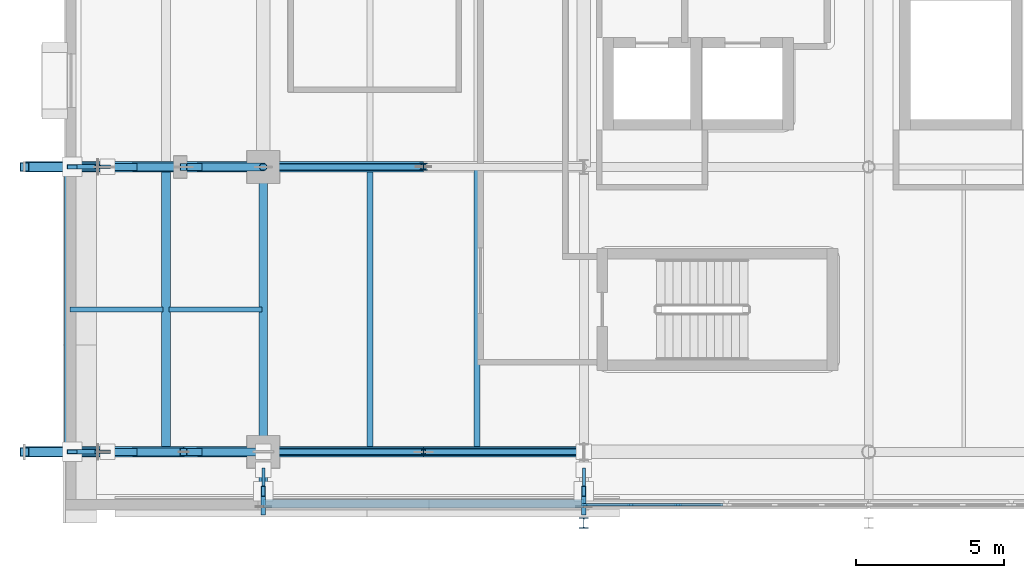
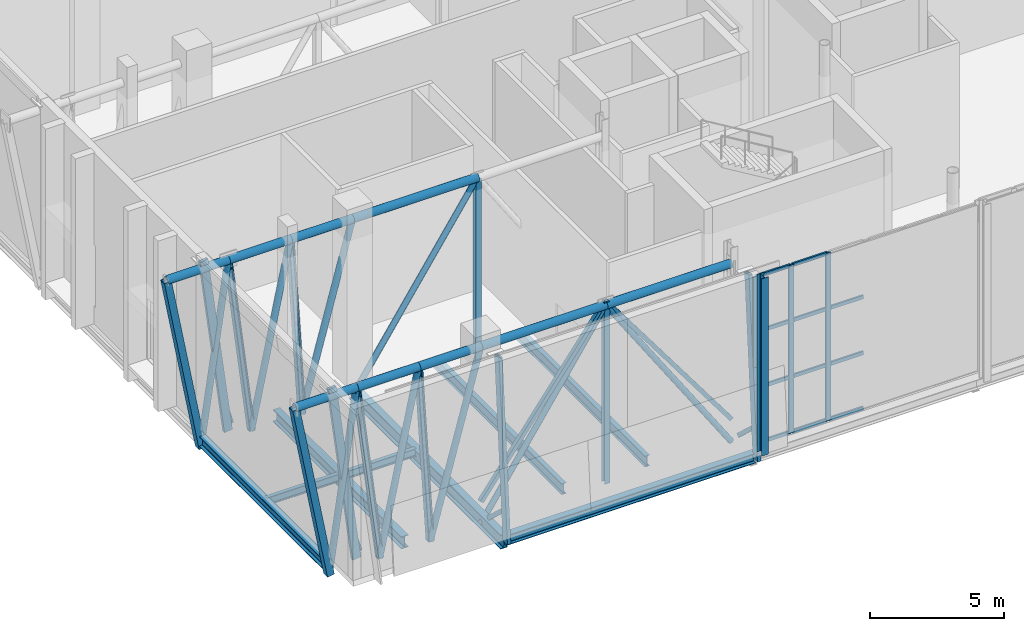
# One storey, part 18 of 79: 51 members, 8 beams, 1 element without a shape of its own.
"""IFC4 building model written with IfcOpenShell, lengths in metres."""

import ifcopenshell
import ifcopenshell.guid

model = None  # the IFC model being written
_history = None  # IfcOwnerHistory: only IFC2X3 demands one
_inside = {}  # id of a spatial element -> (the spatial element, [elements in it])
_under = {}  # id of a project, library or spatial element -> (it, [spatial elements below it])
_declared = {}  # id of a project -> (the project, [libraries it declares])
_typed = {}  # id of a type object -> (the type object, [elements of that type])
_made_of = {}  # id of a material, layer set ... -> (it, [elements and type objects made of it])


def new_model(schema):
    """Start an empty IFC model of exactly this schema.

    Asked for "IFC4X3", IfcOpenShell would pick the latest addendum, in which some entities
    have other attributes; the version numbers below select the first issue.
    IFC2X3 requires an IfcOwnerHistory on every rooted entity: one is made here for all.
    """
    global model, _history
    if schema == "IFC4X3":
        model = ifcopenshell.file(schema_version=(4, 3, 0, 0))
    else:
        model = ifcopenshell.file(schema=schema)
    _inside.clear()
    _under.clear()
    _declared.clear()
    _typed.clear()
    _made_of.clear()
    _history = None
    if model.schema == "IFC2X3":
        org = make("IfcOrganization", Name="unknown")
        user = make(
            "IfcPersonAndOrganization",
            ThePerson=make("IfcPerson", FamilyName="unknown"),
            TheOrganization=org,
        )
        app = make(
            "IfcApplication",
            ApplicationDeveloper=org,
            Version="unknown",
            ApplicationFullName="unknown",
            ApplicationIdentifier="unknown",
        )
        _history = make(
            "IfcOwnerHistory",
            OwningUser=user,
            OwningApplication=app,
            ChangeAction="ADDED",
            CreationDate=0,
        )
    return model


def make(cls, **values):
    """One entity of the class cls with the attributes given. An attribute that is None is left unset."""
    return model.create_entity(
        cls, **{name: value for name, value in values.items() if value is not None}
    )


def rooted(cls, **values):
    """An entity with a GlobalId (a new one), such as an element, a storey or a relation."""
    return make(cls, GlobalId=ifcopenshell.guid.new(), OwnerHistory=_history, **values)


def si_unit(unit_type, name, prefix=None):
    """IfcSIUnit, for example si_unit("LENGTHUNIT", "METRE", prefix="MILLI")."""
    return make("IfcSIUnit", UnitType=unit_type, Prefix=prefix, Name=name)


def assignment(units):
    """IfcUnitAssignment: the units of a project."""
    return None if units is None else make("IfcUnitAssignment", Units=units)


def point(xyz):
    """IfcCartesianPoint."""
    return None if xyz is None else make("IfcCartesianPoint", Coordinates=xyz)


def direction(xyz):
    """IfcDirection."""
    return None if xyz is None else make("IfcDirection", DirectionRatios=xyz)


def frame(location, z_axis=None, x_axis=None):
    """IfcAxis2Placement3D, a coordinate frame: its origin and axes. An axis left out is left unset."""
    return make(
        "IfcAxis2Placement3D",
        Location=point(location),
        Axis=direction(z_axis),
        RefDirection=direction(x_axis),
    )


def frame_2d(location, x_axis=None):
    """IfcAxis2Placement2D, a coordinate frame in the plane: its origin and x axis."""
    return make(
        "IfcAxis2Placement2D", Location=point(location), RefDirection=direction(x_axis)
    )


def origin():
    """The frame at (0, 0, 0) with its axes left unset."""
    return frame((0.0, 0.0, 0.0))


def origin_2d():
    """The frame at (0, 0) in the plane with its x axis left unset."""
    return frame_2d((0.0, 0.0))


def place(relative_to, where):
    """IfcLocalPlacement: puts the frame where relative to a parent placement (None: the world)."""
    return make(
        "IfcLocalPlacement", PlacementRelTo=relative_to, RelativePlacement=where
    )


def context(
    kind, dimensions, precision=None, world=None, true_north=None, identifier=None
):
    """IfcGeometricRepresentationContext, for example the 3D "Model" context."""
    return make(
        "IfcGeometricRepresentationContext",
        ContextIdentifier=identifier,
        ContextType=kind,
        CoordinateSpaceDimension=dimensions,
        Precision=precision,
        WorldCoordinateSystem=world,
        TrueNorth=true_north,
    )


def subcontext(parent, identifier, kind, view, scale=None):
    """IfcGeometricRepresentationSubContext, for example "Body" below "Model"."""
    return make(
        "IfcGeometricRepresentationSubContext",
        ContextIdentifier=identifier,
        ContextType=kind,
        ParentContext=parent,
        TargetScale=scale,
        TargetView=view,
    )


def project(units=None, contexts=None):
    """IfcProject with its units and contexts."""
    return rooted(
        "IfcProject",
        Name="project",
        RepresentationContexts=contexts,
        UnitsInContext=assignment(units),
    )


def spatial(cls, under=None, at=None, **own):
    """A site, building, storey or space (cls), placed at a placement, below another one or the project."""
    s = rooted(cls, ObjectPlacement=at, **own)
    if under is not None:
        _under.setdefault(under.id(), (under, []))[1].append(s)
    return s


def profile(cls, at=None, kind="AREA", **sizes):
    """A parametric profile (cls). Its sizes go by their IFC names, for example OverallWidth=200.0."""
    return make(cls, ProfileType=kind, Position=at, **sizes)


def rectangle(**sizes):
    """IfcRectangleProfileDef."""
    return profile("IfcRectangleProfileDef", **sizes)


def hollow_rectangle(**sizes):
    """IfcRectangleHollowProfileDef."""
    return profile("IfcRectangleHollowProfileDef", **sizes)


def hollow_circle(**sizes):
    """IfcCircleHollowProfileDef."""
    return profile("IfcCircleHollowProfileDef", **sizes)


def i_section(**sizes):
    """IfcIShapeProfileDef."""
    return profile("IfcIShapeProfileDef", **sizes)


def extrude(swept, where, along, depth):
    """IfcExtrudedAreaSolid: the profile swept, set in the frame where, extruded along a direction by depth."""
    return make(
        "IfcExtrudedAreaSolid",
        SweptArea=swept,
        Position=where,
        ExtrudedDirection=direction(along),
        Depth=depth,
    )


def shape(context_of_items, identifier, shape_type, items):
    """IfcShapeRepresentation: the items that make up one representation, for example the "Body"."""
    return make(
        "IfcShapeRepresentation",
        ContextOfItems=context_of_items,
        RepresentationIdentifier=identifier,
        RepresentationType=shape_type,
        Items=items,
    )


def material(Name=None, Category=None):
    """IfcMaterial."""
    return make("IfcMaterial", Name=Name, Category=Category)


def layer(
    of_material, thickness, ventilated=None, Name=None, Category=None, Priority=None
):
    """IfcMaterialLayer: one layer of a wall or slab, of a material (None: an air gap)."""
    return make(
        "IfcMaterialLayer",
        Material=of_material,
        LayerThickness=thickness,
        IsVentilated=ventilated,
        Name=Name,
        Category=Category,
        Priority=Priority,
    )


def layer_set(layers, Name=None):
    """IfcMaterialLayerSet."""
    return make("IfcMaterialLayerSet", MaterialLayers=layers, LayerSetName=Name)


def material_profile(
    of_material, cross_section, Name=None, Category=None, Priority=None
):
    """IfcMaterialProfile: a cross section and its material."""
    return make(
        "IfcMaterialProfile",
        Name=Name,
        Material=of_material,
        Profile=cross_section,
        Priority=Priority,
        Category=Category,
    )


def profile_set(profiles, Name=None, composite=None):
    """IfcMaterialProfileSet."""
    return make(
        "IfcMaterialProfileSet",
        Name=Name,
        MaterialProfiles=profiles,
        CompositeProfile=composite,
    )


def made_of(thing, what):
    """Note that an element or type object is made of a material, layer set ...; save() writes the relation."""
    if what is not None:
        _made_of.setdefault(what.id(), (what, []))[1].append(thing)
    return thing


def type_object(cls, material=None, **own):
    """A type object (cls), such as IfcWallType, which elements share."""
    return made_of(rooted(cls, **own), material)


def element(
    cls,
    number,
    at=None,
    inside=None,
    cuts=None,
    type_object=None,
    material=None,
    context=None,
    identifier="Body",
    shape_type=None,
    held_by="IfcProductDefinitionShape",
    body=None,
    shapes=None,
    **own,
):
    """One element of the class cls, such as IfcWall. Its Tag is "e" and its number.

    at: its placement. inside: the storey or other place that contains it. cuts: it is an
    opening in that element (IfcRelVoidsElement). A single representation is given by context,
    identifier, shape_type and body (its items); several are given by shapes. held_by: the class
    of the entity that holds the representations. save() writes the other relations.
    """
    e = rooted(cls, Tag="e%d" % number, ObjectPlacement=at, **own)
    if body is not None:
        shapes = [shape(context, identifier, shape_type, body)]
    if shapes is not None:
        e.Representation = make(held_by, Representations=shapes)
    if inside is not None:
        _inside.setdefault(inside.id(), (inside, []))[1].append(e)
    if cuts is not None:
        rooted(
            "IfcRelVoidsElement", RelatingBuildingElement=cuts, RelatedOpeningElement=e
        )
    if type_object is not None:
        _typed.setdefault(type_object.id(), (type_object, []))[1].append(e)
    return made_of(e, material)


def aggregate(whole, parts):
    """IfcRelAggregates: a whole, such as a stair, and the parts it consists of."""
    return rooted("IfcRelAggregates", RelatingObject=whole, RelatedObjects=parts)


def save(model, path):
    """Write the relations noted so far, then the file.

    IfcRelAggregates (storeys below a building ...), IfcRelContainedInSpatialStructure (elements
    in a storey), IfcRelDefinesByType, IfcRelAssociatesMaterial and IfcRelDeclares: one each for
    every whole, place, type object, material and project.
    """
    for whole, parts in _under.values():
        aggregate(whole, parts)
    for where, things in _inside.values():
        rooted(
            "IfcRelContainedInSpatialStructure",
            RelatedElements=things,
            RelatingStructure=where,
        )
    for kind, things in _typed.values():
        rooted("IfcRelDefinesByType", RelatedObjects=things, RelatingType=kind)
    for what, things in _made_of.values():
        rooted("IfcRelAssociatesMaterial", RelatedObjects=things, RelatingMaterial=what)
    for by, libraries in _declared.values():
        rooted("IfcRelDeclares", RelatingContext=by, RelatedDefinitions=libraries)
    model.write(path)


model = new_model("IFC4")

# Units and contexts
model_context = context("Model", 3, precision=1e-05, world=origin(), true_north=direction((0.0, 1.0)))
body_context = subcontext(model_context, "Body", "Model", "MODEL_VIEW")
ifc_project = project(units=[si_unit("LENGTHUNIT", "METRE"), si_unit("AREAUNIT", "SQUARE_METRE"), si_unit("VOLUMEUNIT", "CUBIC_METRE"), si_unit("PLANEANGLEUNIT", "RADIAN"), si_unit("MASSUNIT", "GRAM", prefix="KILO")], contexts=[model_context])

# Site, building, storey
site_placement = place(None, origin())
site = spatial("IfcSite", under=ifc_project, at=site_placement, CompositionType="ELEMENT")
building_placement = place(site_placement, origin())
building = spatial("IfcBuilding", under=site, at=building_placement, Name="Zereglee Splitstone Museum", CompositionType="ELEMENT")
storey_placement = place(building_placement, frame((0.0, 0.0, 9.0)))
storey = spatial("IfcBuildingStorey", under=building, at=storey_placement, Name="L02", CompositionType="ELEMENT", Elevation=9.0)

# Members
ifc_material_1 = material(Name="Steel S355J2H", Category="steel")
ifc_material_profile_1 = material_profile(ifc_material_1, hollow_circle(Radius=0.122314453125, WallThickness=0.012451171875, at=origin_2d()), Name="CHS 244.5x12.5")
ifc_profile_set_1 = profile_set([ifc_material_profile_1], Name="Steel S355J2H")
member_type_1 = type_object("IfcMemberType", Name="TB-02", PredefinedType="BRACE", material=ifc_profile_set_1)
for number, where, z_axis, x_axis, name in (
    (1, (9.60009765625, 0.0, -0.89990234375), (0.554700196225, 0.0, 0.832050294338), (0.0, 1.0, 0.0), "Cantilever Truss CT-01 Web Brace L02-4"),
    (2, (20.39990234375, 0.0, -0.89990234375), (-0.554700196225, 0.0, 0.832050294338), (0.0, -1.0, 0.0), "Cantilever Truss CT-01 Web Brace L02-5"),
    (3, (9.60009765625, 9.60009765625, -0.89990234375), (0.554700196225, 0.0, 0.832050294338), (0.0, 1.0, 0.0), "Cantilever Truss CT-02 Web Brace L02-4"),
):
    element("IfcMember", number, at=place(storey_placement, frame(where, z_axis=z_axis, x_axis=x_axis)), inside=storey, type_object=member_type_1, Name=name, PredefinedType="BRACE", context=body_context, shape_type="SweptSolid", body=[
        extrude(hollow_circle(Radius=0.122314453125, WallThickness=0.012451171875, at=origin_2d()), origin(), (0.0, 0.0, 1.0), 9.73486328125),
    ])
ifc_material_profile_2 = material_profile(ifc_material_1, hollow_circle(Radius=0.136474609375, WallThickness=0.012451171875, at=origin_2d()), Name="CHS 273.0x12.5")
ifc_profile_set_2 = profile_set([ifc_material_profile_2], Name="Steel S355J2H")
member_type_2 = type_object("IfcMemberType", Name="TB-01", PredefinedType="BRACE", material=ifc_profile_set_2)
member_1_placement = place(storey_placement, frame((3.050048828125, 0.0, -0.89990234375), z_axis=(0.144560595225, 0.0, 0.989495949617), x_axis=(0.0, 1.0, 0.0)))
element("IfcMember", 4, at=member_1_placement, inside=storey, type_object=member_type_2, Name="Cantilever Truss CT-01 Web Brace L02-1", PredefinedType="BRACE", context=body_context, shape_type="SweptSolid", body=[
    extrude(hollow_circle(Radius=0.136474609375, WallThickness=0.012451171875, at=origin_2d()), origin(), (0.0, 0.0, 1.0), 8.185791015625),
])
member_2_placement = place(storey_placement, frame((5.2333984375, 0.0, -0.89990234375), z_axis=(0.203476950416, 0.0, 0.979079736615), x_axis=(0.0, 1.0, 0.0)))
element("IfcMember", 5, at=member_2_placement, inside=storey, type_object=member_type_2, Name="Cantilever Truss CT-01 Web Brace L02-2", PredefinedType="BRACE", context=body_context, shape_type="SweptSolid", body=[
    extrude(hollow_circle(Radius=0.136474609375, WallThickness=0.012451171875, at=origin_2d()), origin(), (0.0, 0.0, 1.0), 8.27294921875),
])
member_3_placement = place(storey_placement, frame((7.416748046875, 0.0, -0.89990234375), z_axis=(0.260264648301, 0.0, 0.965537318204), x_axis=(0.0, 1.0, 0.0)))
element("IfcMember", 6, at=member_3_placement, inside=storey, type_object=member_type_2, Name="Cantilever Truss CT-01 Web Brace L02-3", PredefinedType="BRACE", context=body_context, shape_type="SweptSolid", body=[
    extrude(hollow_circle(Radius=0.136474609375, WallThickness=0.012451171875, at=origin_2d()), origin(), (0.0, 0.0, 1.0), 8.388916015625),
])
member_4_placement = place(storey_placement, frame((3.050048828125, 9.60009765625, -0.89990234375), z_axis=(0.144560595225, 0.0, 0.989495949617), x_axis=(0.0, 1.0, 0.0)))
element("IfcMember", 7, at=member_4_placement, inside=storey, type_object=member_type_2, Name="Cantilever Truss CT-02 Web Brace L02-1", PredefinedType="BRACE", context=body_context, shape_type="SweptSolid", body=[
    extrude(hollow_circle(Radius=0.136474609375, WallThickness=0.012451171875, at=origin_2d()), origin(), (0.0, 0.0, 1.0), 8.185791015625),
])
member_5_placement = place(storey_placement, frame((5.2333984375, 9.60009765625, -0.89990234375), z_axis=(0.203476950416, 0.0, 0.979079736615), x_axis=(0.0, 1.0, 0.0)))
element("IfcMember", 8, at=member_5_placement, inside=storey, type_object=member_type_2, Name="Cantilever Truss CT-02 Web Brace L02-2", PredefinedType="BRACE", context=body_context, shape_type="SweptSolid", body=[
    extrude(hollow_circle(Radius=0.136474609375, WallThickness=0.012451171875, at=origin_2d()), origin(), (0.0, 0.0, 1.0), 8.27294921875),
])
member_6_placement = place(storey_placement, frame((7.416748046875, 9.60009765625, -0.89990234375), z_axis=(0.260264648301, 0.0, 0.965537318204), x_axis=(0.0, 1.0, 0.0)))
element("IfcMember", 9, at=member_6_placement, inside=storey, type_object=member_type_2, Name="Cantilever Truss CT-02 Web Brace L02-3", PredefinedType="BRACE", context=body_context, shape_type="SweptSolid", body=[
    extrude(hollow_circle(Radius=0.136474609375, WallThickness=0.012451171875, at=origin_2d()), origin(), (0.0, 0.0, 1.0), 8.388916015625),
])
ifc_material_profile_3 = material_profile(ifc_material_1, hollow_rectangle(XDim=0.179931640625, YDim=0.179931640625, WallThickness=0.010009765625, at=origin_2d()), Name="SHS 180x180x10")
ifc_profile_set_3 = profile_set([ifc_material_profile_3], Name="Steel S355J2H")
member_type_3 = type_object("IfcMemberType", Name="TB-08", PredefinedType="BRACE", material=ifc_profile_set_3)
for number, where, z_axis, x_axis, name in (
    (10, (9.60009765625, 0.0, 0.1201171875), (0.596817707918, 0.0, 0.802376858786), (0.0, 1.0, 0.0), "Lateral Braced Frame Chevron L02-002A"),
    (11, (20.39990234375, 0.0, 0.1201171875), (-0.596817707918, 0.0, 0.802376858786), (0.0, -1.0, 0.0), "Lateral Braced Frame Chevron L02-002B"),
):
    element("IfcMember", number, at=place(storey_placement, frame(where, z_axis=z_axis, x_axis=x_axis)), inside=storey, type_object=member_type_3, Name=name, PredefinedType="BRACE", context=body_context, shape_type="SweptSolid", body=[
        extrude(hollow_rectangle(XDim=0.179931640625, YDim=0.179931640625, WallThickness=0.010009765625, at=origin_2d()), origin(), (0.0, 0.0, 1.0), 9.0478515625),
    ])

# Curtain wall, members
ifc_material_2 = material(Name="Triple-glazed low-E argon glass and bronze-anodised aluminium", Category="aluminium")
ifc_layer = layer(ifc_material_2, 0.219970703125)
ifc_layer_set = layer_set([ifc_layer], Name="Triple-glazed low-E argon glass and bronze-anodised aluminium")
curtain_wall_type = type_object("IfcCurtainWallType", Name="CW-0476-768", PredefinedType="USERDEFINED", material=ifc_layer_set)
curtain_wall_placement = place(storey_placement, origin())
curtain_wall = element("IfcCurtainWall", 12, at=curtain_wall_placement, inside=storey, type_object=curtain_wall_type, Name="Glazed Curtain Wall CW-0476-768 (L02)", ObjectType="GLAZED CURTAIN WALL", PredefinedType="USERDEFINED")
ifc_material_3 = material(Name="Thermally broken bronze-anodised aluminium", Category="aluminium")
ifc_material_profile_4 = material_profile(ifc_material_3, rectangle(XDim=0.074951171875, YDim=0.219970703125, at=origin_2d()), Name="CW MULL 75x220")
ifc_profile_set_4 = profile_set([ifc_material_profile_4], Name="Thermally broken bronze-anodised aluminium")
member_type_4 = type_object("IfcMemberType", Name="CWM-02", PredefinedType="MULLION", material=ifc_profile_set_4)
member_7_placement = place(storey_placement, frame((20.4375, -1.780029296875, 0.0), z_axis=(0.0, 0.0, 1.0), x_axis=(0.0, 1.0, 0.0)))
member_7 = element("IfcMember", 13, at=member_7_placement, type_object=member_type_4, Name="CW-0476-768 mullion 1", PredefinedType="MULLION", context=body_context, shape_type="SweptSolid", body=[
    extrude(rectangle(XDim=0.074951171875, YDim=0.219970703125, at=origin_2d()), origin(), (0.0, 0.0, 1.0), 7.679931640625),
])
member_8_placement = place(storey_placement, frame((21.986572265625, -1.780029296875, 0.0), z_axis=(0.0, 0.0, 1.0), x_axis=(0.0, 1.0, 0.0)))
member_8 = element("IfcMember", 14, at=member_8_placement, type_object=member_type_4, Name="CW-0476-768 mullion 2", PredefinedType="MULLION", context=body_context, shape_type="SweptSolid", body=[
    extrude(rectangle(XDim=0.074951171875, YDim=0.219970703125, at=origin_2d()), origin(), (0.0, 0.0, 1.0), 7.679931640625),
])
member_9_placement = place(storey_placement, frame((23.5732421875, -1.780029296875, 0.0), z_axis=(0.0, 0.0, 1.0), x_axis=(0.0, 1.0, 0.0)))
member_9 = element("IfcMember", 15, at=member_9_placement, type_object=member_type_4, Name="CW-0476-768 mullion 3", PredefinedType="MULLION", context=body_context, shape_type="SweptSolid", body=[
    extrude(rectangle(XDim=0.074951171875, YDim=0.219970703125, at=origin_2d()), origin(), (0.0, 0.0, 1.0), 7.679931640625),
])
ifc_material_profile_5 = material_profile(ifc_material_3, rectangle(XDim=0.074951171875, YDim=0.1650390625, at=origin_2d()), Name="CW TRAN 75x165")
ifc_profile_set_5 = profile_set([ifc_material_profile_5], Name="Thermally broken bronze-anodised aluminium")
member_type_5 = type_object("IfcMemberType", Name="CWT-02", PredefinedType="USERDEFINED", material=ifc_profile_set_5)
member_10_placement = place(storey_placement, frame((20.47509765625, -1.780029296875, 0.03759765625), z_axis=(1.0, 0.0, 0.0), x_axis=(0.0, 1.0, 0.0)))
member_10 = element("IfcMember", 16, at=member_10_placement, type_object=member_type_5, Name="CW-0476-768 transom 1.1", ObjectType="TRANSOM", PredefinedType="USERDEFINED", context=body_context, shape_type="SweptSolid", body=[
    extrude(rectangle(XDim=0.074951171875, YDim=0.1650390625, at=origin_2d()), origin(), (0.0, 0.0, 1.0), 1.47412109375),
])
member_11_placement = place(storey_placement, frame((20.47509765625, -1.780029296875, 2.56005859375), z_axis=(1.0, 0.0, 0.0), x_axis=(0.0, 1.0, 0.0)))
member_11 = element("IfcMember", 17, at=member_11_placement, type_object=member_type_5, Name="CW-0476-768 transom 1.2", ObjectType="TRANSOM", PredefinedType="USERDEFINED", context=body_context, shape_type="SweptSolid", body=[
    extrude(rectangle(XDim=0.074951171875, YDim=0.1650390625, at=origin_2d()), origin(), (0.0, 0.0, 1.0), 1.47412109375),
])
member_12_placement = place(storey_placement, frame((20.47509765625, -1.780029296875, 5.1201171875), z_axis=(1.0, 0.0, 0.0), x_axis=(0.0, 1.0, 0.0)))
member_12 = element("IfcMember", 18, at=member_12_placement, type_object=member_type_5, Name="CW-0476-768 transom 1.3", ObjectType="TRANSOM", PredefinedType="USERDEFINED", context=body_context, shape_type="SweptSolid", body=[
    extrude(rectangle(XDim=0.074951171875, YDim=0.1650390625, at=origin_2d()), origin(), (0.0, 0.0, 1.0), 1.47412109375),
])
member_13_placement = place(storey_placement, frame((20.47509765625, -1.780029296875, 7.642578125), z_axis=(1.0, 0.0, 0.0), x_axis=(0.0, 1.0, 0.0)))
member_13 = element("IfcMember", 19, at=member_13_placement, type_object=member_type_5, Name="CW-0476-768 transom 1.4", ObjectType="TRANSOM", PredefinedType="USERDEFINED", context=body_context, shape_type="SweptSolid", body=[
    extrude(rectangle(XDim=0.074951171875, YDim=0.1650390625, at=origin_2d()), origin(), (0.0, 0.0, 1.0), 1.47412109375),
])
member_14_placement = place(storey_placement, frame((22.024169921875, -1.780029296875, 0.03759765625), z_axis=(1.0, 0.0, 0.0), x_axis=(0.0, 1.0, 0.0)))
member_14 = element("IfcMember", 20, at=member_14_placement, type_object=member_type_5, Name="CW-0476-768 transom 2.1", ObjectType="TRANSOM", PredefinedType="USERDEFINED", context=body_context, shape_type="SweptSolid", body=[
    extrude(rectangle(XDim=0.074951171875, YDim=0.1650390625, at=origin_2d()), origin(), (0.0, 0.0, 1.0), 1.51171875),
])
member_15_placement = place(storey_placement, frame((22.024169921875, -1.780029296875, 2.56005859375), z_axis=(1.0, 0.0, 0.0), x_axis=(0.0, 1.0, 0.0)))
member_15 = element("IfcMember", 21, at=member_15_placement, type_object=member_type_5, Name="CW-0476-768 transom 2.2", ObjectType="TRANSOM", PredefinedType="USERDEFINED", context=body_context, shape_type="SweptSolid", body=[
    extrude(rectangle(XDim=0.074951171875, YDim=0.1650390625, at=origin_2d()), origin(), (0.0, 0.0, 1.0), 1.51171875),
])
member_16_placement = place(storey_placement, frame((22.024169921875, -1.780029296875, 5.1201171875), z_axis=(1.0, 0.0, 0.0), x_axis=(0.0, 1.0, 0.0)))
member_16 = element("IfcMember", 22, at=member_16_placement, type_object=member_type_5, Name="CW-0476-768 transom 2.3", ObjectType="TRANSOM", PredefinedType="USERDEFINED", context=body_context, shape_type="SweptSolid", body=[
    extrude(rectangle(XDim=0.074951171875, YDim=0.1650390625, at=origin_2d()), origin(), (0.0, 0.0, 1.0), 1.51171875),
])
member_17_placement = place(storey_placement, frame((22.024169921875, -1.780029296875, 7.642578125), z_axis=(1.0, 0.0, 0.0), x_axis=(0.0, 1.0, 0.0)))
member_17 = element("IfcMember", 23, at=member_17_placement, type_object=member_type_5, Name="CW-0476-768 transom 2.4", ObjectType="TRANSOM", PredefinedType="USERDEFINED", context=body_context, shape_type="SweptSolid", body=[
    extrude(rectangle(XDim=0.074951171875, YDim=0.1650390625, at=origin_2d()), origin(), (0.0, 0.0, 1.0), 1.51171875),
])
member_18_placement = place(storey_placement, frame((23.61083984375, -1.780029296875, 0.03759765625), z_axis=(1.0, 0.0, 0.0), x_axis=(0.0, 1.0, 0.0)))
member_18 = element("IfcMember", 24, at=member_18_placement, type_object=member_type_5, Name="CW-0476-768 transom 3.1", ObjectType="TRANSOM", PredefinedType="USERDEFINED", context=body_context, shape_type="SweptSolid", body=[
    extrude(rectangle(XDim=0.074951171875, YDim=0.1650390625, at=origin_2d()), origin(), (0.0, 0.0, 1.0), 1.47412109375),
])
member_19_placement = place(storey_placement, frame((23.61083984375, -1.780029296875, 2.56005859375), z_axis=(1.0, 0.0, 0.0), x_axis=(0.0, 1.0, 0.0)))
member_19 = element("IfcMember", 25, at=member_19_placement, type_object=member_type_5, Name="CW-0476-768 transom 3.2", ObjectType="TRANSOM", PredefinedType="USERDEFINED", context=body_context, shape_type="SweptSolid", body=[
    extrude(rectangle(XDim=0.074951171875, YDim=0.1650390625, at=origin_2d()), origin(), (0.0, 0.0, 1.0), 1.47412109375),
])
member_20_placement = place(storey_placement, frame((23.61083984375, -1.780029296875, 5.1201171875), z_axis=(1.0, 0.0, 0.0), x_axis=(0.0, 1.0, 0.0)))
member_20 = element("IfcMember", 26, at=member_20_placement, type_object=member_type_5, Name="CW-0476-768 transom 3.3", ObjectType="TRANSOM", PredefinedType="USERDEFINED", context=body_context, shape_type="SweptSolid", body=[
    extrude(rectangle(XDim=0.074951171875, YDim=0.1650390625, at=origin_2d()), origin(), (0.0, 0.0, 1.0), 1.47412109375),
])
aggregate(curtain_wall, [member_7, member_8, member_9, member_10, member_11, member_12, member_13, member_14, member_15, member_16, member_17, member_18, member_19, member_20])

# Members
ifc_material_profile_6 = material_profile(ifc_material_1, hollow_circle(Radius=0.177734375, WallThickness=0.01611328125, at=origin_2d()), Name="CHS 355.6x16")
ifc_profile_set_6 = profile_set([ifc_material_profile_6], Name="Steel S355J2H")
member_type_6 = type_object("IfcMemberType", Name="TC-04", PredefinedType="CHORD", material=ifc_profile_set_6)
for number, where, z_axis, x_axis, name in (
    (27, (1.550048828125, 0.0, 7.199951171875), (1.0, 0.0, 0.0), (0.0, 1.0, 0.0), "Cantilever Truss CT-01 Top Chord L02-1"),
    (28, (4.2333984375, 0.0, 7.199951171875), (1.0, 0.0, 0.0), (0.0, 1.0, 0.0), "Cantilever Truss CT-01 Top Chord L02-2"),
    (29, (6.916748046875, 0.0, 7.199951171875), (1.0, 0.0, 0.0), (0.0, 1.0, 0.0), "Cantilever Truss CT-01 Top Chord L02-3"),
):
    element("IfcMember", number, at=place(storey_placement, frame(where, z_axis=z_axis, x_axis=x_axis)), inside=storey, type_object=member_type_6, Name=name, PredefinedType="CHORD", context=body_context, shape_type="SweptSolid", body=[
        extrude(hollow_circle(Radius=0.177734375, WallThickness=0.01611328125, at=origin_2d()), origin(), (0.0, 0.0, 1.0), 2.683349609375),
    ])
for number, where, z_axis, x_axis, name in (
    (30, (9.60009765625, 0.0, 7.199951171875), (1.0, 0.0, 0.0), (0.0, 1.0, 0.0), "Cantilever Truss CT-01 Top Chord L02-4"),
    (31, (15.0, 0.0, 7.199951171875), (1.0, 0.0, 0.0), (0.0, 1.0, 0.0), "Cantilever Truss CT-01 Top Chord L02-5"),
):
    element("IfcMember", number, at=place(storey_placement, frame(where, z_axis=z_axis, x_axis=x_axis)), inside=storey, type_object=member_type_6, Name=name, PredefinedType="CHORD", context=body_context, shape_type="SweptSolid", body=[
        extrude(hollow_circle(Radius=0.177734375, WallThickness=0.01611328125, at=origin_2d()), origin(), (0.0, 0.0, 1.0), 5.39990234375),
    ])
for number, where, z_axis, x_axis, name in (
    (32, (1.550048828125, 9.60009765625, 7.199951171875), (1.0, 0.0, 0.0), (0.0, 1.0, 0.0), "Cantilever Truss CT-02 Top Chord L02-1"),
    (33, (4.2333984375, 9.60009765625, 7.199951171875), (1.0, 0.0, 0.0), (0.0, 1.0, 0.0), "Cantilever Truss CT-02 Top Chord L02-2"),
    (34, (6.916748046875, 9.60009765625, 7.199951171875), (1.0, 0.0, 0.0), (0.0, 1.0, 0.0), "Cantilever Truss CT-02 Top Chord L02-3"),
):
    element("IfcMember", number, at=place(storey_placement, frame(where, z_axis=z_axis, x_axis=x_axis)), inside=storey, type_object=member_type_6, Name=name, PredefinedType="CHORD", context=body_context, shape_type="SweptSolid", body=[
        extrude(hollow_circle(Radius=0.177734375, WallThickness=0.01611328125, at=origin_2d()), origin(), (0.0, 0.0, 1.0), 2.683349609375),
    ])
member_21_placement = place(storey_placement, frame((9.60009765625, 9.60009765625, 7.199951171875), z_axis=(1.0, 0.0, 0.0), x_axis=(0.0, 1.0, 0.0)))
element("IfcMember", 35, at=member_21_placement, inside=storey, type_object=member_type_6, Name="Cantilever Truss CT-02 Top Chord L02-4", PredefinedType="CHORD", context=body_context, shape_type="SweptSolid", body=[
    extrude(hollow_circle(Radius=0.177734375, WallThickness=0.01611328125, at=origin_2d()), origin(), (0.0, 0.0, 1.0), 5.39990234375),
])
ifc_material_4 = material(Name="Steel S355J2", Category="steel")
ifc_material_profile_7 = material_profile(ifc_material_4, i_section(OverallWidth=0.300048828125, OverallDepth=0.360107421875, WebThickness=0.012451171875, FlangeThickness=0.0224609375, FilletRadius=0.027099609375, at=origin_2d()), Name="HE 360 B")
ifc_profile_set_7 = profile_set([ifc_material_profile_7], Name="Steel S355J2")
member_type_7 = type_object("IfcMemberType", Name="TC-06", PredefinedType="CHORD", material=ifc_profile_set_7)
member_22_placement = place(storey_placement, frame((20.39990234375, -2.39990234375, 0.0), z_axis=(0.0, 0.0, 1.0), x_axis=(1.0, 0.0, 0.0)))
element("IfcMember", 36, at=member_22_placement, inside=storey, type_object=member_type_7, Name="Mughal Guldasta Hovering Portal Pier G03 L02", PredefinedType="CHORD", context=body_context, shape_type="SweptSolid", body=[
    extrude(i_section(OverallWidth=0.300048828125, OverallDepth=0.360107421875, WebThickness=0.012451171875, FlangeThickness=0.0224609375, FilletRadius=0.027099609375, at=origin_2d()), origin(), (0.0, 0.0, 1.0), 8.10009765625),
])

# Beams
ifc_material_profile_8 = material_profile(ifc_material_4, i_section(OverallWidth=0.300048828125, OverallDepth=0.550048828125, WebThickness=0.014892578125, FlangeThickness=0.029052734375, FilletRadius=0.027099609375, at=origin_2d()), Name="HE 550 B")
ifc_profile_set_8 = profile_set([ifc_material_profile_8], Name="Steel S355J2")
beam_type_1 = type_object("IfcBeamType", Name="BG-11", PredefinedType="BEAM", material=ifc_profile_set_8)
beam_1_placement = place(storey_placement, frame((6.324951171875, 0.0, -0.594970703125), z_axis=(0.0, 1.0, 0.0), x_axis=(-1.0, 0.0, 0.0)))
element("IfcBeam", 37, at=beam_1_placement, inside=storey, type_object=beam_type_1, Name="Cantilever Transverse Girder L02 X=6.33", PredefinedType="BEAM", context=body_context, shape_type="SweptSolid", body=[
    extrude(i_section(OverallWidth=0.300048828125, OverallDepth=0.550048828125, WebThickness=0.014892578125, FlangeThickness=0.029052734375, FilletRadius=0.027099609375, at=origin_2d()), origin(), (0.0, 0.0, 1.0), 9.60009765625),
])
ifc_material_profile_9 = material_profile(ifc_material_4, i_section(OverallWidth=0.300048828125, OverallDepth=0.64990234375, WebThickness=0.01611328125, FlangeThickness=0.031005859375, FilletRadius=0.027099609375, at=origin_2d()), Name="HE 650 B")
ifc_profile_set_9 = profile_set([ifc_material_profile_9], Name="Steel S355J2")
beam_type_2 = type_object("IfcBeamType", Name="BG-09", PredefinedType="BEAM", material=ifc_profile_set_9)
beam_2_placement = place(storey_placement, frame((9.60009765625, -1.75, -0.64501953125), z_axis=(0.0, 1.0, 0.0), x_axis=(-1.0, 0.0, 0.0)))
element("IfcBeam", 38, at=beam_2_placement, inside=storey, type_object=beam_type_2, Name="Primary Girder L02 2 (-1.8-9.6)", PredefinedType="BEAM", context=body_context, shape_type="SweptSolid", body=[
    extrude(i_section(OverallWidth=0.300048828125, OverallDepth=0.64990234375, WebThickness=0.01611328125, FlangeThickness=0.031005859375, FilletRadius=0.027099609375, at=origin_2d()), origin(), (0.0, 0.0, 1.0), 11.35009765625),
])
ifc_material_profile_10 = material_profile(ifc_material_4, i_section(OverallWidth=0.169921875, OverallDepth=0.360107421875, WebThickness=0.008056640625, FlangeThickness=0.0126953125, FilletRadius=0.01806640625, at=origin_2d()), Name="IPE 360")
ifc_profile_set_10 = profile_set([ifc_material_profile_10], Name="Steel S355J2")
beam_type_3 = type_object("IfcBeamType", Name="BJ-04", PredefinedType="JOIST", material=ifc_profile_set_10)
beam_3_placement = place(storey_placement, frame((3.090087890625, 4.800048828125, -0.5), z_axis=(1.0, 0.0, 0.0), x_axis=(0.0, 1.0, 0.0)))
element("IfcBeam", 39, at=beam_3_placement, inside=storey, type_object=beam_type_3, Name="Cantilever Floor Joist L02-1612", PredefinedType="JOIST", context=body_context, shape_type="SweptSolid", body=[
    extrude(i_section(OverallWidth=0.169921875, OverallDepth=0.360107421875, WebThickness=0.008056640625, FlangeThickness=0.0126953125, FilletRadius=0.01806640625, at=origin_2d()), origin(), (0.0, 0.0, 1.0), 3.135009765625),
])
beam_4_placement = place(storey_placement, frame((6.425048828125, 4.800048828125, -0.5), z_axis=(1.0, 0.0, 0.0), x_axis=(0.0, 1.0, 0.0)))
element("IfcBeam", 40, at=beam_4_placement, inside=storey, type_object=beam_type_3, Name="Cantilever Floor Joist L02-1613", PredefinedType="JOIST", context=body_context, shape_type="SweptSolid", body=[
    extrude(i_section(OverallWidth=0.169921875, OverallDepth=0.360107421875, WebThickness=0.008056640625, FlangeThickness=0.0126953125, FilletRadius=0.01806640625, at=origin_2d()), origin(), (0.0, 0.0, 1.0), 3.125),
])
ifc_material_profile_11 = material_profile(ifc_material_4, i_section(OverallWidth=0.199951171875, OverallDepth=0.5, WebThickness=0.01025390625, FlangeThickness=0.01611328125, FilletRadius=0.02099609375, at=origin_2d()), Name="IPE 500")
ifc_profile_set_11 = profile_set([ifc_material_profile_11], Name="Steel S355J2")
beam_type_4 = type_object("IfcBeamType", Name="BJ-01", PredefinedType="JOIST", material=ifc_profile_set_11)
for number, where, z_axis, x_axis, name in (
    (41, (13.199951171875, 0.0, -0.570068359375), (0.0, 1.0, 0.0), (-1.0, 0.0, 0.0), "Secondary Floor Joist L02-1033"),
    (42, (16.800048828125, 0.0, -0.570068359375), (0.0, 1.0, 0.0), (-1.0, 0.0, 0.0), "Secondary Floor Joist L02-1034"),
):
    element("IfcBeam", number, at=place(storey_placement, frame(where, z_axis=z_axis, x_axis=x_axis)), inside=storey, type_object=beam_type_4, Name=name, PredefinedType="JOIST", context=body_context, shape_type="SweptSolid", body=[
        extrude(i_section(OverallWidth=0.199951171875, OverallDepth=0.5, WebThickness=0.01025390625, FlangeThickness=0.01611328125, FilletRadius=0.02099609375, at=origin_2d()), origin(), (0.0, 0.0, 1.0), 9.60009765625),
    ])

# Members
ifc_material_profile_12 = material_profile(ifc_material_4, i_section(OverallWidth=0.239990234375, OverallDepth=0.239990234375, WebThickness=0.010009765625, FlangeThickness=0.01708984375, FilletRadius=0.02099609375, at=origin_2d()), Name="HE 240 B")
ifc_profile_set_12 = profile_set([ifc_material_profile_12], Name="Steel S355J2")
member_type_8 = type_object("IfcMemberType", Name="TP-02", PredefinedType="POST", material=ifc_profile_set_12)
member_23_placement = place(storey_placement, frame((5.2333984375, 0.0, -0.89990234375), z_axis=(-0.122528754606, 0.0, 0.992464963762), x_axis=(0.0, -1.0, 0.0)))
element("IfcMember", 43, at=member_23_placement, inside=storey, type_object=member_type_8, Name="Cantilever Truss CT-01 Post L02-2", PredefinedType="POST", context=body_context, shape_type="SweptSolid", body=[
    extrude(i_section(OverallWidth=0.239990234375, OverallDepth=0.239990234375, WebThickness=0.010009765625, FlangeThickness=0.01708984375, FilletRadius=0.02099609375, at=origin_2d()), origin(), (0.0, 0.0, 1.0), 8.161376953125),
])
member_24_placement = place(storey_placement, frame((7.416748046875, 0.0, -0.89990234375), z_axis=(-0.061612235308, 0.0, 0.998100161537), x_axis=(0.0, -1.0, 0.0)))
element("IfcMember", 44, at=member_24_placement, inside=storey, type_object=member_type_8, Name="Cantilever Truss CT-01 Post L02-3", PredefinedType="POST", context=body_context, shape_type="SweptSolid", body=[
    extrude(i_section(OverallWidth=0.239990234375, OverallDepth=0.239990234375, WebThickness=0.010009765625, FlangeThickness=0.01708984375, FilletRadius=0.02099609375, at=origin_2d()), origin(), (0.0, 0.0, 1.0), 8.115234375),
])
member_25_placement = place(storey_placement, frame((15.0, 0.0, -0.89990234375), z_axis=(0.0, 0.0, 1.0), x_axis=(1.0, 0.0, 0.0)))
element("IfcMember", 45, at=member_25_placement, inside=storey, type_object=member_type_8, Name="Cantilever Truss CT-01 Post L02-4", PredefinedType="POST", context=body_context, shape_type="SweptSolid", body=[
    extrude(i_section(OverallWidth=0.239990234375, OverallDepth=0.239990234375, WebThickness=0.010009765625, FlangeThickness=0.01708984375, FilletRadius=0.02099609375, at=origin_2d()), origin(), (0.0, 0.0, 1.0), 8.099853515625),
])
member_26_placement = place(storey_placement, frame((5.2333984375, 9.60009765625, -0.89990234375), z_axis=(-0.122528754606, 0.0, 0.992464963762), x_axis=(0.0, -1.0, 0.0)))
element("IfcMember", 46, at=member_26_placement, inside=storey, type_object=member_type_8, Name="Cantilever Truss CT-02 Post L02-2", PredefinedType="POST", context=body_context, shape_type="SweptSolid", body=[
    extrude(i_section(OverallWidth=0.239990234375, OverallDepth=0.239990234375, WebThickness=0.010009765625, FlangeThickness=0.01708984375, FilletRadius=0.02099609375, at=origin_2d()), origin(), (0.0, 0.0, 1.0), 8.161376953125),
])
member_27_placement = place(storey_placement, frame((7.416748046875, 9.60009765625, -0.89990234375), z_axis=(-0.061612235308, 0.0, 0.998100161537), x_axis=(0.0, -1.0, 0.0)))
element("IfcMember", 47, at=member_27_placement, inside=storey, type_object=member_type_8, Name="Cantilever Truss CT-02 Post L02-3", PredefinedType="POST", context=body_context, shape_type="SweptSolid", body=[
    extrude(i_section(OverallWidth=0.239990234375, OverallDepth=0.239990234375, WebThickness=0.010009765625, FlangeThickness=0.01708984375, FilletRadius=0.02099609375, at=origin_2d()), origin(), (0.0, 0.0, 1.0), 8.115234375),
])
member_28_placement = place(storey_placement, frame((15.0, 9.60009765625, -0.89990234375), z_axis=(0.0, 0.0, 1.0), x_axis=(1.0, 0.0, 0.0)))
element("IfcMember", 48, at=member_28_placement, inside=storey, type_object=member_type_8, Name="Cantilever Truss CT-02 Post L02-4", PredefinedType="POST", context=body_context, shape_type="SweptSolid", body=[
    extrude(i_section(OverallWidth=0.239990234375, OverallDepth=0.239990234375, WebThickness=0.010009765625, FlangeThickness=0.01708984375, FilletRadius=0.02099609375, at=origin_2d()), origin(), (0.0, 0.0, 1.0), 8.099853515625),
])
ifc_material_profile_13 = material_profile(ifc_material_1, hollow_rectangle(XDim=0.300048828125, YDim=0.300048828125, WallThickness=0.01611328125, at=origin_2d()), Name="SHS 300x300x16")
ifc_profile_set_13 = profile_set([ifc_material_profile_13], Name="Steel S355J2H")
member_type_9 = type_object("IfcMemberType", Name="TP-01", PredefinedType="POST", material=ifc_profile_set_13)
for number, where, z_axis, x_axis, name in (
    (49, (3.050048828125, 0.0, -0.89990234375), (-0.182092444044, 0.0, 0.983281415375), (0.0, -1.0, 0.0), "Cantilever Truss CT-01 Post L02-1"),
    (50, (3.050048828125, 9.60009765625, -0.89990234375), (-0.182092444044, 0.0, 0.983281415375), (0.0, -1.0, 0.0), "Cantilever Truss CT-02 Post L02-1"),
):
    element("IfcMember", number, at=place(storey_placement, frame(where, z_axis=z_axis, x_axis=x_axis)), inside=storey, type_object=member_type_9, Name=name, PredefinedType="POST", context=body_context, shape_type="SweptSolid", body=[
        extrude(hollow_rectangle(XDim=0.300048828125, YDim=0.300048828125, WallThickness=0.01611328125, at=origin_2d()), origin(), (0.0, 0.0, 1.0), 8.237548828125),
    ])

# Beams
ifc_material_profile_14 = material_profile(ifc_material_4, i_section(OverallWidth=0.300048828125, OverallDepth=0.449951171875, WebThickness=0.013916015625, FlangeThickness=0.02587890625, FilletRadius=0.027099609375, at=origin_2d()), Name="HE 450 B")
ifc_profile_set_14 = profile_set([ifc_material_profile_14], Name="Steel S355J2")
beam_type_5 = type_object("IfcBeamType", Name="SP-02", PredefinedType="SPANDREL", material=ifc_profile_set_14)
beam_5_placement = place(storey_placement, frame((9.60009765625, -1.75, -0.544921875), z_axis=(1.0, 0.0, 0.0), x_axis=(0.0, 1.0, 0.0)))
element("IfcBeam", 51, at=beam_5_placement, inside=storey, type_object=beam_type_5, Name="Hovering Soffit Spandrel L02 (9.6-20.4)", PredefinedType="SPANDREL", context=body_context, shape_type="SweptSolid", body=[
    extrude(i_section(OverallWidth=0.300048828125, OverallDepth=0.449951171875, WebThickness=0.013916015625, FlangeThickness=0.02587890625, FilletRadius=0.027099609375, at=origin_2d()), origin(), (0.0, 0.0, 1.0), 10.7998046875),
])
beam_6_placement = place(storey_placement, frame((3.050048828125, 0.0, -0.544921875), z_axis=(0.0, 1.0, 0.0), x_axis=(-1.0, 0.0, 0.0)))
element("IfcBeam", 52, at=beam_6_placement, inside=storey, type_object=beam_type_5, Name="Cantilever Transverse Girder L02 X=3.05", PredefinedType="SPANDREL", context=body_context, shape_type="SweptSolid", body=[
    extrude(i_section(OverallWidth=0.300048828125, OverallDepth=0.449951171875, WebThickness=0.013916015625, FlangeThickness=0.02587890625, FilletRadius=0.027099609375, at=origin_2d()), origin(), (0.0, 0.0, 1.0), 9.60009765625),
])

# Members
ifc_material_profile_15 = material_profile(ifc_material_1, hollow_rectangle(XDim=0.14990234375, YDim=0.35009765625, WallThickness=0.012451171875, at=origin_2d()), Name="RHS 350x150x12.5")
ifc_profile_set_15 = profile_set([ifc_material_profile_15], Name="Steel S355J2H")
member_type_10 = type_object("IfcMemberType", Name="FS-R0", PredefinedType="STRUT", material=ifc_profile_set_15)
for number, where, z_axis, x_axis, name in (
    (53, (4.210693359375, 0.0, -0.570068359375), (-0.128375261383, 0.0, 0.991725663813), (0.0, -1.0, 0.0), "Split-Rock Continuous Facet Strut FH-V1W-S L02-01"),
    (54, (4.210693359375, 9.60009765625, -0.570068359375), (-0.128375261383, 0.0, 0.991725663813), (0.0, -1.0, 0.0), "Split-Rock Continuous Facet Strut FH-V1W-S L02-02"),
):
    element("IfcMember", number, at=place(storey_placement, frame(where, z_axis=z_axis, x_axis=x_axis)), inside=storey, type_object=member_type_10, Name=name, PredefinedType="STRUT", context=body_context, shape_type="SweptSolid", body=[
        extrude(hollow_rectangle(XDim=0.14990234375, YDim=0.35009765625, WallThickness=0.012451171875, at=origin_2d()), origin(), (0.0, 0.0, 1.0), 8.2080078125),
    ])
for number, where, z_axis, x_axis, name in (
    (55, (9.60009765625, -1.958740234375, -0.570068359375), (0.0, 0.076822269168, 0.997044802885), (-1.0, 0.0, 0.0), "Split-Rock Continuous Facet Strut FH-V1S-W L02-01"),
    (56, (20.39990234375, -1.958740234375, -0.570068359375), (0.0, 0.076822269168, 0.997044802885), (-1.0, 0.0, 0.0), "Split-Rock Continuous Facet Strut FH-V1S-W L02-02"),
):
    element("IfcMember", number, at=place(storey_placement, frame(where, z_axis=z_axis, x_axis=x_axis)), inside=storey, type_object=member_type_10, Name=name, PredefinedType="STRUT", context=body_context, shape_type="SweptSolid", body=[
        extrude(hollow_rectangle(XDim=0.14990234375, YDim=0.35009765625, WallThickness=0.012451171875, at=origin_2d()), origin(), (0.0, 0.0, 1.0), 8.164306640625),
    ])
ifc_material_profile_16 = material_profile(ifc_material_1, hollow_rectangle(XDim=0.10009765625, YDim=0.179931640625, WallThickness=0.008056640625, at=origin_2d()), Name="RHS 180x100x8")
ifc_profile_set_16 = profile_set([ifc_material_profile_16], Name="Steel S355J2H")
member_type_11 = type_object("IfcMemberType", Name="FS-T2", PredefinedType="STRUT", material=ifc_profile_set_16)
for number, where, z_axis, x_axis, name in (
    (57, (9.60009765625, -0.60009765625, -0.280029296875), (0.0, -0.732231624356, 0.681055686632), (1.0, 0.0, 0.0), "Facet Tie-Back Strut FH-V1S-W L02-01"),
    (58, (20.39990234375, -0.60009765625, -0.280029296875), (0.0, -0.732231624356, 0.681055686632), (1.0, 0.0, 0.0), "Facet Tie-Back Strut FH-V1S-W L02-02"),
):
    element("IfcMember", number, at=place(storey_placement, frame(where, z_axis=z_axis, x_axis=x_axis)), inside=storey, type_object=member_type_11, Name=name, PredefinedType="STRUT", context=body_context, shape_type="SweptSolid", body=[
        extrude(hollow_rectangle(XDim=0.10009765625, YDim=0.179931640625, WallThickness=0.008056640625, at=origin_2d()), origin(), (0.0, 0.0, 1.0), 1.703125),
    ])
ifc_material_profile_17 = material_profile(ifc_material_1, hollow_rectangle(XDim=0.1201171875, YDim=0.199951171875, WallThickness=0.008056640625, at=origin_2d()), Name="RHS 200x120x8")
ifc_profile_set_17 = profile_set([ifc_material_profile_17], Name="Steel S355J2H")
member_type_12 = type_object("IfcMemberType", Name="FS-T1", PredefinedType="STRUT", material=ifc_profile_set_17)
for number, where, z_axis, x_axis, name in (
    (59, (4.35009765625, 0.0, -0.280029296875), (-0.271455353468, 0.0, 0.962451033078), (0.0, -1.0, 0.0), "Facet Tie-Back Strut FH-V1W-S L02-01"),
    (60, (4.35009765625, 9.60009765625, -0.280029296875), (-0.271455353468, 0.0, 0.962451033078), (0.0, -1.0, 0.0), "Facet Tie-Back Strut FH-V1W-S L02-02"),
):
    element("IfcMember", number, at=place(storey_placement, frame(where, z_axis=z_axis, x_axis=x_axis)), inside=storey, type_object=member_type_12, Name=name, PredefinedType="STRUT", context=body_context, shape_type="SweptSolid", body=[
        extrude(hollow_rectangle(XDim=0.1201171875, YDim=0.199951171875, WallThickness=0.008056640625, at=origin_2d()), origin(), (0.0, 0.0, 1.0), 1.205078125),
    ])

save(model, "model.ifc")
